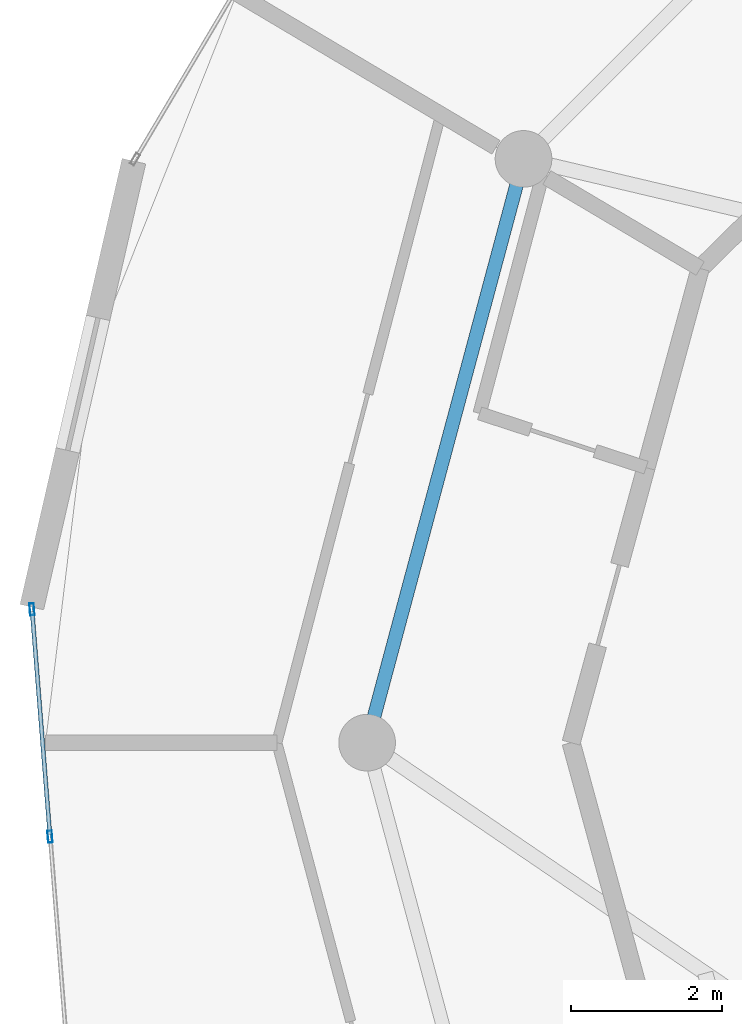
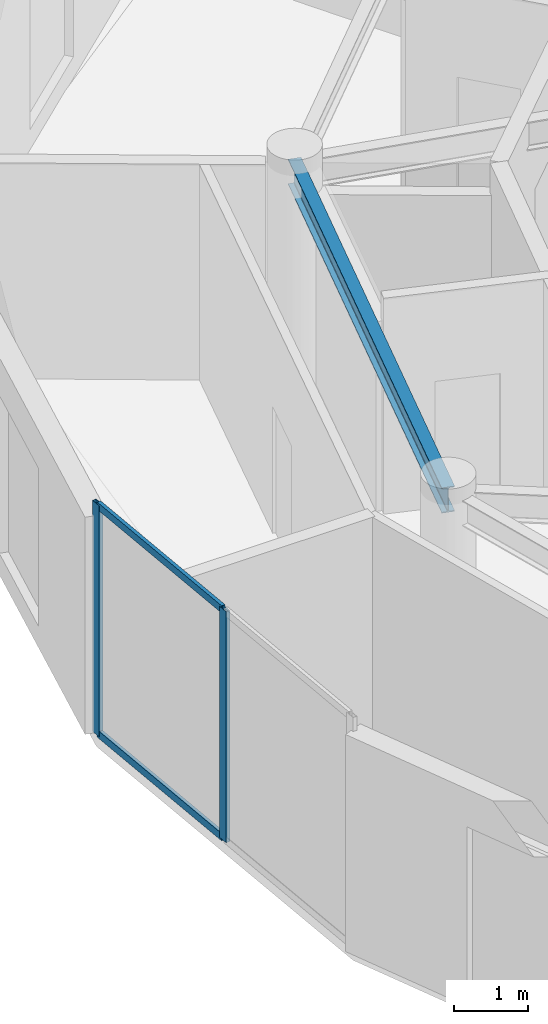
# One storey, part 8 of 22: 4 members, 1 beam, 1 element without a shape of its own.
"""IFC4 building model written with IfcOpenShell, lengths in metres."""

from ifc_helpers import new_model, si_unit, direction, frame, origin, origin_2d, place, context, subcontext, project, spatial, hollow_rectangle, i_section, extrude, source, transform, mapped, material, layer, layer_set, material_profile, profile_set, type_object, element, aggregate, save


model = new_model("IFC4")

# Units and contexts
model_context = context("Model", 3, precision=1e-05, world=origin(), true_north=direction((0.0, 1.0)))
body_context = subcontext(model_context, "Body", "Model", "MODEL_VIEW")
ifc_project = project(units=[si_unit("LENGTHUNIT", "METRE"), si_unit("AREAUNIT", "SQUARE_METRE"), si_unit("VOLUMEUNIT", "CUBIC_METRE"), si_unit("PLANEANGLEUNIT", "RADIAN"), si_unit("MASSUNIT", "GRAM", prefix="KILO")], contexts=[model_context])

# Site, building, storey
site_placement = place(None, origin())
site = spatial("IfcSite", under=ifc_project, at=site_placement, CompositionType="ELEMENT")
building_placement = place(site_placement, origin())
building = spatial("IfcBuilding", under=site, at=building_placement, Name="Solvirekh Grand Hotel", CompositionType="ELEMENT")
storey_placement = place(building_placement, frame((0.0, 0.0, 243.0)))
storey = spatial("IfcBuildingStorey", under=building, at=storey_placement, Name="L63", CompositionType="ELEMENT", Elevation=243.0)

# Beam
ifc_material_1 = material(Name="Steel S355", Category="steel")
ifc_material_profile_1 = material_profile(ifc_material_1, i_section(OverallWidth=0.180908203125, OverallDepth=0.4169921875, WebThickness=0.010009765625, FlangeThickness=0.01611328125, FilletRadius=0.011962890625, at=origin_2d()), Name="W410X85")
ifc_profile_set_1 = profile_set([ifc_material_profile_1], Name="Steel S355")
beam_type = type_object("IfcBeamType", Name="Spandrel_Ring_W410", PredefinedType="SPANDREL", material=ifc_profile_set_1)
beam_placement = place(storey_placement, frame((-13.3798828125, 7.72509765625, 3.362060546875), z_axis=(-0.258834757072, -0.965921616143, 0.0), x_axis=(0.965921616143, -0.258834757072, 0.0)))
element("IfcBeam", 1, at=beam_placement, inside=storey, type_object=beam_type, Name="L63 perimeter spandrel beam 6", PredefinedType="SPANDREL", context=body_context, shape_type="SweptSolid", body=[
    extrude(i_section(OverallWidth=0.180908203125, OverallDepth=0.4169921875, WebThickness=0.010009765625, FlangeThickness=0.01611328125, FilletRadius=0.011962890625, at=origin_2d()), origin(), (0.0, 0.0, 1.0), 7.99755859375),
])

# Curtain wall, members
ifc_material_2 = material(Name="Anodized Bronze Aluminium 6063-T6", Category="aluminium")
ifc_layer = layer(ifc_material_2, 0.159912109375)
ifc_layer_set = layer_set([ifc_layer], Name="Anodized Bronze Aluminium 6063-T6")
curtain_wall_type = type_object("IfcCurtainWallType", Name="CW_Sys4_HighZoneFlushBronzeCW", PredefinedType="NOTDEFINED", material=ifc_layer_set)
curtain_wall_placement = place(storey_placement, origin())
curtain_wall = element("IfcCurtainWall", 2, at=curtain_wall_placement, inside=storey, type_object=curtain_wall_type, Name="L63 unitised bronze-glass curtain wall CW-L63-C15", PredefinedType="NOTDEFINED")
ifc_material_profile_2 = material_profile(ifc_material_2, hollow_rectangle(XDim=0.06005859375, YDim=0.159912109375, WallThickness=0.0048828125, at=origin_2d()), Name="ALU RHS 160X60X5")
ifc_profile_set_2 = profile_set([ifc_material_profile_2], Name="Anodized Bronze Aluminium 6063-T6")
member_type_1 = type_object("IfcMemberType", Name="CWMullion_Sys4", PredefinedType="MULLION", material=ifc_profile_set_2)
shared_shape_1 = source(origin(), body_context, "Body", "SweptSolid", [
    extrude(hollow_rectangle(XDim=0.06005859375, YDim=0.159912109375, WallThickness=0.0048828125, at=origin_2d()), origin(), (0.0, 0.0, 1.0), 3.800048828125),
])
member_1_placement = place(storey_placement, frame((-19.884521484375, 1.76513671875, 0.0), z_axis=(0.0, 0.0, 1.0), x_axis=(0.996869293159, 0.079067138283, 0.0)))
member_1 = element("IfcMember", 3, at=member_1_placement, type_object=member_type_1, Name="U04 mullion 1", PredefinedType="MULLION", context=body_context, shape_type="MappedRepresentation", body=[
    mapped(shared_shape_1, transform((0.0, 0.0, 0.0), x_axis=(1.0, 0.0, 0.0), y_axis=(0.0, 1.0, 0.0), z_axis=(0.0, 0.0, 1.0), scale=1.0)),
])
member_2_placement = place(storey_placement, frame((-19.64599609375, -1.243408203125, 0.0), z_axis=(0.0, 0.0, 1.0), x_axis=(0.996869293159, 0.079067138283, 0.0)))
member_2 = element("IfcMember", 4, at=member_2_placement, type_object=member_type_1, Name="U04 mullion 2", PredefinedType="MULLION", context=body_context, shape_type="MappedRepresentation", body=[
    mapped(shared_shape_1, transform((0.0, 0.0, 0.0), x_axis=(1.0, 0.0, 0.0), y_axis=(0.0, 1.0, 0.0), z_axis=(0.0, 0.0, 1.0), scale=1.0)),
])
ifc_material_profile_3 = material_profile(ifc_material_2, hollow_rectangle(XDim=0.054931640625, YDim=0.1201171875, WallThickness=0.00390625, at=origin_2d()), Name="ALU RHS 120X55X4")
ifc_profile_set_3 = profile_set([ifc_material_profile_3], Name="Anodized Bronze Aluminium 6063-T6")
member_type_2 = type_object("IfcMemberType", Name="CWTransom_Sys4", PredefinedType="USERDEFINED", material=ifc_profile_set_3)
shared_shape_2 = source(origin(), body_context, "Body", "SweptSolid", [
    extrude(hollow_rectangle(XDim=0.054931640625, YDim=0.1201171875, WallThickness=0.00390625, at=origin_2d()), origin(), (0.0, 0.0, 1.0), 2.9580078125),
])
member_3_placement = place(storey_placement, frame((-19.88232421875, 1.735107421875, 0.027587890625), z_axis=(0.079069432729, -0.996869111172, 0.0), x_axis=(0.996869111172, 0.079069432729, 0.0)))
member_3 = element("IfcMember", 5, at=member_3_placement, type_object=member_type_2, Name="U04 transom 1.1", ObjectType="TRANSOM", PredefinedType="USERDEFINED", context=body_context, shape_type="MappedRepresentation", body=[
    mapped(shared_shape_2, transform((0.0, 0.0, 0.0), x_axis=(1.0, 0.0, 0.0), y_axis=(0.0, 1.0, 0.0), z_axis=(0.0, 0.0, 1.0), scale=1.0)),
])
member_4_placement = place(storey_placement, frame((-19.88232421875, 1.735107421875, 3.7724609375), z_axis=(0.079069432729, -0.996869111172, 0.0), x_axis=(0.996869111172, 0.079069432729, 0.0)))
member_4 = element("IfcMember", 6, at=member_4_placement, type_object=member_type_2, Name="U04 transom 1.2", ObjectType="TRANSOM", PredefinedType="USERDEFINED", context=body_context, shape_type="MappedRepresentation", body=[
    mapped(shared_shape_2, transform((0.0, 0.0, 0.0), x_axis=(1.0, 0.0, 0.0), y_axis=(0.0, 1.0, 0.0), z_axis=(0.0, 0.0, 1.0), scale=1.0)),
])
aggregate(curtain_wall, [member_1, member_2, member_3, member_4])

save(model, "model.ifc")
